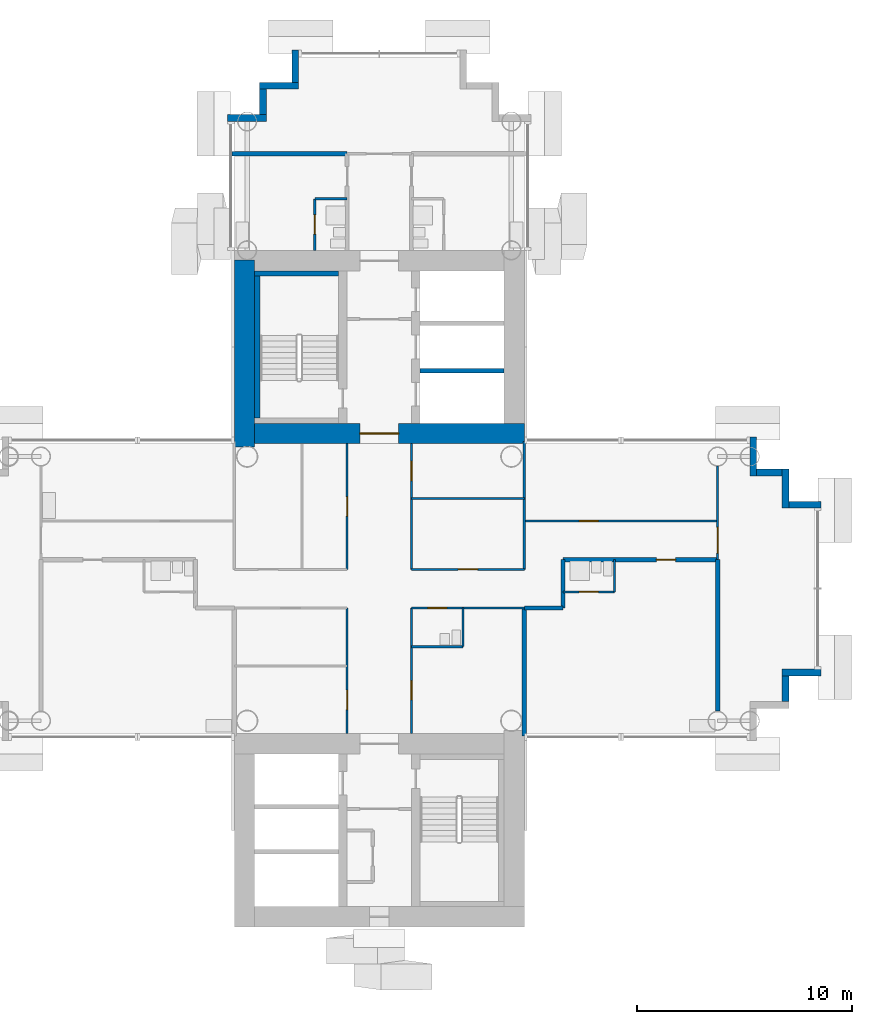
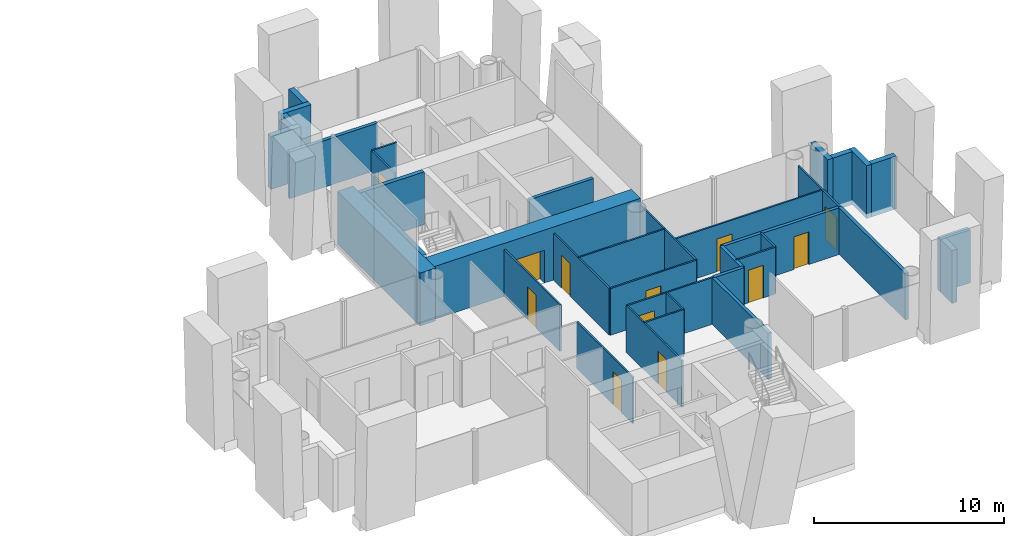
# One storey, part 12 of 20: 37 walls, 12 doors, 12 openings.
"""IFC4 building model written with IfcOpenShell, lengths in metres."""

from ifc_helpers import new_model, si_unit, direction, frame, frame_2d, origin, place, context, subcontext, project, spatial, rectangle, extrude, material, layer, layer_set, type_object, element, fill, save


model = new_model("IFC4")

# Units and contexts
model_context = context("Model", 3, precision=1e-05, world=origin(), true_north=direction((0.0, 1.0)))
body_context = subcontext(model_context, "Body", "Model", "MODEL_VIEW")
ifc_project = project(units=[si_unit("LENGTHUNIT", "METRE"), si_unit("AREAUNIT", "SQUARE_METRE"), si_unit("VOLUMEUNIT", "CUBIC_METRE"), si_unit("PLANEANGLEUNIT", "RADIAN"), si_unit("MASSUNIT", "GRAM", prefix="KILO")], contexts=[model_context])

# Site, building, storey
site_placement = place(None, origin())
site = spatial("IfcSite", under=ifc_project, at=site_placement, CompositionType="ELEMENT")
building_placement = place(site_placement, origin())
building = spatial("IfcBuilding", under=site, at=building_placement, Name="Ipe Terrace Towers", CompositionType="ELEMENT")
storey_placement = place(building_placement, frame((0.0, 0.0, 100.39990234375)))
storey = spatial("IfcBuildingStorey", under=building, at=storey_placement, Name="L27", CompositionType="ELEMENT", Elevation=100.39990234375)

# Walls
ifc_material_1 = material(Name="Concrete C40/50 with buff precast cladding", Category="concrete")
ifc_layer_1 = layer(ifc_material_1, 0.320068359375)
ifc_layer_set_1 = layer_set([ifc_layer_1], Name="BUFF CLADDING WALL 320")
wall_type_1 = type_object("IfcWallType", Name="BUFF CLADDING WALL 320", PredefinedType="STANDARD", material=ifc_layer_set_1)
wall_1_placement = place(storey_placement, frame((54.909912109375, -5.25, -0.2998046875), z_axis=(0.0, 0.0, 1.0), x_axis=(0.0, 1.0, 0.0)))
element("IfcWall", 1, at=wall_1_placement, inside=storey, type_object=wall_type_1, Name="T2-W-L27-06a wall", PredefinedType="STANDARD", context=body_context, shape_type="SweptSolid", body=[
    extrude(rectangle(XDim=1.179931640625, YDim=0.320068359375, at=frame_2d((0.58984375, 0.0))), origin(), (0.0, 0.0, 1.0), 3.39990234375),
])
wall_2_placement = place(storey_placement, frame((54.75, -3.909912109375, -0.2998046875), z_axis=(0.0, 0.0, 1.0), x_axis=(1.0, 0.0, 0.0)))
element("IfcWall", 2, at=wall_2_placement, inside=storey, type_object=wall_type_1, Name="T2-W-L27-07a wall", PredefinedType="STANDARD", context=body_context, shape_type="SweptSolid", body=[
    extrude(rectangle(XDim=1.820068359375, YDim=0.320068359375, at=frame_2d((0.91015625, 0.0))), origin(), (0.0, 0.0, 1.0), 3.39990234375),
])
wall_3_placement = place(storey_placement, frame((56.570068359375, 3.909912109375, -0.2998046875), z_axis=(0.0, 0.0, 1.0), x_axis=(-1.0, 0.0, 0.0)))
element("IfcWall", 3, at=wall_3_placement, inside=storey, type_object=wall_type_1, Name="T2-W-L27-09a wall", PredefinedType="STANDARD", context=body_context, shape_type="SweptSolid", body=[
    extrude(rectangle(XDim=1.5, YDim=0.320068359375, at=frame_2d((0.75, 0.0))), origin(), (0.0, 0.0, 1.0), 3.39990234375),
])
wall_4_placement = place(storey_placement, frame((54.909912109375, 3.75, -0.2998046875), z_axis=(0.0, 0.0, 1.0), x_axis=(0.0, 1.0, 0.0)))
element("IfcWall", 4, at=wall_4_placement, inside=storey, type_object=wall_type_1, Name="T2-W-L27-10a wall", PredefinedType="STANDARD", context=body_context, shape_type="SweptSolid", body=[
    extrude(rectangle(XDim=1.820068359375, YDim=0.320068359375, at=frame_2d((0.91015625, 0.0))), origin(), (0.0, 0.0, 1.0), 3.39990234375),
])
wall_5_placement = place(storey_placement, frame((54.75, 5.409912109375, -0.2998046875), z_axis=(0.0, 0.0, 1.0), x_axis=(-1.0, 0.0, 0.0)))
element("IfcWall", 5, at=wall_5_placement, inside=storey, type_object=wall_type_1, Name="T2-W-L27-11a wall", PredefinedType="STANDARD", context=body_context, shape_type="SweptSolid", body=[
    extrude(rectangle(XDim=1.179931640625, YDim=0.320068359375, at=frame_2d((0.58984375, 0.0))), origin(), (0.0, 0.0, 1.0), 3.39990234375),
])
wall_6_placement = place(storey_placement, frame((53.409912109375, 5.25, -0.2998046875), z_axis=(0.0, 0.0, 1.0), x_axis=(0.0, 1.0, 0.0)))
element("IfcWall", 6, at=wall_6_placement, inside=storey, type_object=wall_type_1, Name="T2-W-L27-12a wall", PredefinedType="STANDARD", context=body_context, shape_type="SweptSolid", body=[
    extrude(rectangle(XDim=1.820068359375, YDim=0.320068359375, at=frame_2d((0.91015625, 0.0))), origin(), (0.0, 0.0, 1.0), 3.39990234375),
])
wall_7_placement = place(storey_placement, frame((32.090087890625, 25.070068359375, -0.2998046875), z_axis=(0.0, 0.0, 1.0), x_axis=(0.0, -1.0, 0.0)))
element("IfcWall", 7, at=wall_7_placement, inside=storey, type_object=wall_type_1, Name="T2-W-L27-22a wall", PredefinedType="STANDARD", context=body_context, shape_type="SweptSolid", body=[
    extrude(rectangle(XDim=1.5, YDim=0.320068359375, at=frame_2d((0.75, 0.0))), origin(), (0.0, 0.0, 1.0), 3.39990234375),
])
wall_8_placement = place(storey_placement, frame((32.25, 23.409912109375, -0.2998046875), z_axis=(0.0, 0.0, 1.0), x_axis=(-1.0, 0.0, 0.0)))
element("IfcWall", 8, at=wall_8_placement, inside=storey, type_object=wall_type_1, Name="T2-W-L27-23a wall", PredefinedType="STANDARD", context=body_context, shape_type="SweptSolid", body=[
    extrude(rectangle(XDim=1.820068359375, YDim=0.320068359375, at=frame_2d((0.91015625, 0.0))), origin(), (0.0, 0.0, 1.0), 3.39990234375),
])
wall_9_placement = place(storey_placement, frame((30.590087890625, 23.25, -0.2998046875), z_axis=(0.0, 0.0, 1.0), x_axis=(0.0, -1.0, 0.0)))
element("IfcWall", 9, at=wall_9_placement, inside=storey, type_object=wall_type_1, Name="T2-W-L27-24a wall", PredefinedType="STANDARD", context=body_context, shape_type="SweptSolid", body=[
    extrude(rectangle(XDim=1.179931640625, YDim=0.320068359375, at=frame_2d((0.58984375, 0.0))), origin(), (0.0, 0.0, 1.0), 3.39990234375),
])
wall_10_placement = place(storey_placement, frame((30.75, 21.909912109375, -0.2998046875), z_axis=(0.0, 0.0, 1.0), x_axis=(-1.0, 0.0, 0.0)))
element("IfcWall", 10, at=wall_10_placement, inside=storey, type_object=wall_type_1, Name="T2-W-L27-25a wall", PredefinedType="STANDARD", context=body_context, shape_type="SweptSolid", body=[
    extrude(rectangle(XDim=1.820068359375, YDim=0.320068359375, at=frame_2d((0.91015625, 0.0))), origin(), (0.0, 0.0, 1.0), 3.39990234375),
])
ifc_material_2 = material(Name="Gypsum board partition", Category="plasterboard")
ifc_layer_2 = layer(ifc_material_2, 0.10009765625)
ifc_layer_set_2 = layer_set([ifc_layer_2], Name="Gypsum board partition 100 mm")
wall_type_2 = type_object("IfcWallType", Name="Gypsum board partition 100 mm", PredefinedType="PARTITIONING", material=ifc_layer_set_2)
wall_11_placement = place(storey_placement, frame((39.89990234375, -2.699951171875, 0.0), z_axis=(0.0, 0.0, 1.0), x_axis=(-1.0, 0.0, 0.0)))
element("IfcWall", 11, at=wall_11_placement, inside=storey, type_object=wall_type_2, Name="Gypsum board partition T2 L27 W02", PredefinedType="PARTITIONING", context=body_context, shape_type="SweptSolid", body=[
    extrude(rectangle(XDim=2.39990234375, YDim=0.10009765625, at=frame_2d((1.199951171875, 0.0))), origin(), (0.0, 0.0, 1.0), 3.0),
])

# Wall, opening, door
wall_12_placement = place(storey_placement, frame((42.75, -0.89990234375, 0.0), z_axis=(0.0, 0.0, 1.0), x_axis=(-1.0, 0.0, 0.0)))
wall_12 = element("IfcWall", 12, at=wall_12_placement, inside=storey, type_object=wall_type_2, Name="Gypsum board partition T2 L27 W03", PredefinedType="PARTITIONING", context=body_context, shape_type="SweptSolid", body=[
    extrude(rectangle(XDim=5.25, YDim=0.10009765625, at=frame_2d((2.625, 0.0))), origin(), (0.0, 0.0, 1.0), 3.0),
])
opening_1_placement = place(wall_12_placement, frame((3.60009765625, 0.0, 0.0)))
opening_1 = element("IfcOpeningElement", 13, at=opening_1_placement, cuts=wall_12, Name="Opening T2-Z2E-01", PredefinedType="OPENING", context=body_context, shape_type="SweptSolid", body=[
    extrude(rectangle(XDim=0.89990234375, YDim=2.10009765625, at=frame_2d((0.449951171875, 1.050048828125))), frame((0.0, 0.06005859375, 0.0), z_axis=(0.0, -1.0, 0.0), x_axis=(1.0, 0.0, 0.0)), (0.0, 0.0, 1.0), 0.1201171875),
])
ifc_material_3 = material(Name="Timber door leaf", Category="wood")
door_type_1 = type_object("IfcDoorType", Name="Bathroom door 900 x 2100", OperationType="NOTDEFINED", PredefinedType="DOOR", material=ifc_material_3)
door_1_placement = place(opening_1_placement, origin())
door_1 = element("IfcDoor", 14, at=door_1_placement, inside=storey, type_object=door_type_1, Name="Bathroom door T2-Z2E-01", OperationType="SINGLE_SWING_LEFT", OverallHeight=2.10009765625, OverallWidth=0.89990234375, PredefinedType="DOOR", context=body_context, shape_type="SweptSolid", body=[
    extrude(rectangle(XDim=0.89990234375, YDim=2.10009765625, at=frame_2d((0.449951171875, 1.050048828125))), frame((0.0, 0.02490234375, 0.0), z_axis=(0.0, -1.0, 0.0), x_axis=(1.0, 0.0, 0.0)), (0.0, 0.0, 1.0), 0.050048828125),
])
fill(opening_1, door_1)

wall_13_placement = place(storey_placement, frame((46.949951171875, -0.14990234375, 0.0), z_axis=(0.0, 0.0, 1.0), x_axis=(-1.0, 0.0, 0.0)))
wall_13 = element("IfcWall", 15, at=wall_13_placement, inside=storey, type_object=wall_type_2, Name="Gypsum board partition T2 L27 W07", PredefinedType="PARTITIONING", context=body_context, shape_type="SweptSolid", body=[
    extrude(rectangle(XDim=2.39990234375, YDim=0.10009765625, at=frame_2d((1.199951171875, 0.0))), origin(), (0.0, 0.0, 1.0), 3.0),
])
opening_2_placement = place(wall_13_placement, frame((0.75, 0.0, 0.0)))
opening_2 = element("IfcOpeningElement", 16, at=opening_2_placement, cuts=wall_13, Name="Opening T2-Z2E-15", PredefinedType="OPENING", context=body_context, shape_type="SweptSolid", body=[
    extrude(rectangle(XDim=0.89990234375, YDim=2.10009765625, at=frame_2d((0.449951171875, 1.050048828125))), frame((0.0, 0.06005859375, 0.0), z_axis=(0.0, -1.0, 0.0), x_axis=(1.0, 0.0, 0.0)), (0.0, 0.0, 1.0), 0.1201171875),
])
door_2_placement = place(opening_2_placement, origin())
door_2 = element("IfcDoor", 17, at=door_2_placement, inside=storey, type_object=door_type_1, Name="Bathroom door T2-Z2E-15", OperationType="SINGLE_SWING_RIGHT", OverallHeight=2.10009765625, OverallWidth=0.89990234375, PredefinedType="DOOR", context=body_context, shape_type="SweptSolid", body=[
    extrude(rectangle(XDim=0.89990234375, YDim=2.10009765625, at=frame_2d((0.449951171875, 1.050048828125))), frame((0.0, 0.02490234375, 0.0), z_axis=(0.0, -1.0, 0.0), x_axis=(1.0, 0.0, 0.0)), (0.0, 0.0, 1.0), 0.050048828125),
])
fill(opening_2, door_2)

wall_14_placement = place(storey_placement, frame((42.75, 0.89990234375, 0.0), z_axis=(0.0, 0.0, 1.0), x_axis=(-1.0, 0.0, 0.0)))
wall_14 = element("IfcWall", 18, at=wall_14_placement, inside=storey, type_object=wall_type_2, Name="Gypsum board partition T2 L27 W09", PredefinedType="PARTITIONING", context=body_context, shape_type="SweptSolid", body=[
    extrude(rectangle(XDim=5.25, YDim=0.10009765625, at=frame_2d((2.625, 0.0))), origin(), (0.0, 0.0, 1.0), 3.0),
])
opening_3_placement = place(wall_14_placement, frame((2.175048828125, 0.0, 0.0)))
opening_3 = element("IfcOpeningElement", 19, at=opening_3_placement, cuts=wall_14, Name="Opening T2-Z2E-07", PredefinedType="OPENING", context=body_context, shape_type="SweptSolid", body=[
    extrude(rectangle(XDim=0.89990234375, YDim=2.10009765625, at=frame_2d((0.449951171875, 1.050048828125))), frame((0.0, 0.06005859375, 0.0), z_axis=(0.0, -1.0, 0.0), x_axis=(1.0, 0.0, 0.0)), (0.0, 0.0, 1.0), 0.1201171875),
])
ifc_material_4 = material(Name="Timber door leaf", Category="wood")
door_type_2 = type_object("IfcDoorType", Name="Lounge door 900 x 2100", OperationType="NOTDEFINED", PredefinedType="DOOR", material=ifc_material_4)
door_3_placement = place(opening_3_placement, origin())
door_3 = element("IfcDoor", 20, at=door_3_placement, inside=storey, type_object=door_type_2, Name="Lounge door T2-Z2E-07", OperationType="SINGLE_SWING_RIGHT", OverallHeight=2.10009765625, OverallWidth=0.89990234375, PredefinedType="DOOR", context=body_context, shape_type="SweptSolid", body=[
    extrude(rectangle(XDim=0.89990234375, YDim=2.10009765625, at=frame_2d((0.449951171875, 1.050048828125))), frame((0.0, 0.02490234375, 0.0), z_axis=(0.0, -1.0, 0.0), x_axis=(1.0, 0.0, 0.0)), (0.0, 0.0, 1.0), 0.050048828125),
])
fill(opening_3, door_3)

wall_15_placement = place(storey_placement, frame((51.75, 3.14990234375, 0.0), z_axis=(0.0, 0.0, 1.0), x_axis=(-1.0, 0.0, 0.0)))
wall_15 = element("IfcWall", 21, at=wall_15_placement, inside=storey, type_object=wall_type_2, Name="Gypsum board partition T2 L27 W13", PredefinedType="PARTITIONING", context=body_context, shape_type="SweptSolid", body=[
    extrude(rectangle(XDim=9.0, YDim=0.10009765625, at=frame_2d((4.5, 0.0))), origin(), (0.0, 0.0, 1.0), 3.0),
])
opening_4_placement = place(wall_15_placement, frame((5.550048828125, 0.0, 0.0)))
opening_4 = element("IfcOpeningElement", 22, at=opening_4_placement, cuts=wall_15, Name="Opening T2-Z2E-13", PredefinedType="OPENING", context=body_context, shape_type="SweptSolid", body=[
    extrude(rectangle(XDim=0.89990234375, YDim=2.10009765625, at=frame_2d((0.449951171875, 1.050048828125))), frame((0.0, 0.06005859375, 0.0), z_axis=(0.0, -1.0, 0.0), x_axis=(1.0, 0.0, 0.0)), (0.0, 0.0, 1.0), 0.1201171875),
])
door_4_placement = place(opening_4_placement, origin())
door_4 = element("IfcDoor", 23, at=door_4_placement, inside=storey, type_object=door_type_2, Name="Lounge door T2-Z2E-13", OperationType="SINGLE_SWING_RIGHT", OverallHeight=2.10009765625, OverallWidth=0.89990234375, PredefinedType="DOOR", context=body_context, shape_type="SweptSolid", body=[
    extrude(rectangle(XDim=0.89990234375, YDim=2.10009765625, at=frame_2d((0.449951171875, 1.050048828125))), frame((0.0, 0.02490234375, 0.0), z_axis=(0.0, -1.0, 0.0), x_axis=(1.0, 0.0, 0.0)), (0.0, 0.0, 1.0), 0.050048828125),
])
fill(opening_4, door_4)

# Walls
wall_16_placement = place(storey_placement, frame((42.75, 4.199951171875, 0.0), z_axis=(0.0, 0.0, 1.0), x_axis=(-1.0, 0.0, 0.0)))
element("IfcWall", 24, at=wall_16_placement, inside=storey, type_object=wall_type_2, Name="Gypsum board partition T2 L27 W15", PredefinedType="PARTITIONING", context=body_context, shape_type="SweptSolid", body=[
    extrude(rectangle(XDim=5.25, YDim=0.10009765625, at=frame_2d((2.625, 0.0))), origin(), (0.0, 0.0, 1.0), 3.0),
])
wall_17_placement = place(storey_placement, frame((34.5, 18.14990234375, 0.0), z_axis=(0.0, 0.0, 1.0), x_axis=(-1.0, 0.0, 0.0)))
element("IfcWall", 25, at=wall_17_placement, inside=storey, type_object=wall_type_2, Name="Gypsum board partition T2 L27 W17", PredefinedType="PARTITIONING", context=body_context, shape_type="SweptSolid", body=[
    extrude(rectangle(XDim=1.5, YDim=0.10009765625, at=frame_2d((0.75, 0.0))), origin(), (0.0, 0.0, 1.0), 3.0),
])

# Wall, opening, door
wall_18_placement = place(storey_placement, frame((51.75, 1.35009765625, 0.0), z_axis=(0.0, 0.0, 1.0), x_axis=(0.0, 1.0, 0.0)))
wall_18 = element("IfcWall", 26, at=wall_18_placement, inside=storey, type_object=wall_type_2, Name="Gypsum board partition T2 L27 W21", PredefinedType="PARTITIONING", context=body_context, shape_type="SweptSolid", body=[
    extrude(rectangle(XDim=4.349853515625, YDim=0.10009765625, at=frame_2d((2.1748046875, 0.0))), origin(), (0.0, 0.0, 1.0), 3.0),
])
opening_5_placement = place(wall_18_placement, frame((0.300048828125, 0.0, 0.0)))
opening_5 = element("IfcOpeningElement", 27, at=opening_5_placement, cuts=wall_18, Name="Opening T2-Z2E-16", PredefinedType="OPENING", context=body_context, shape_type="SweptSolid", body=[
    extrude(rectangle(XDim=1.199951171875, YDim=2.10009765625, at=frame_2d((0.60009765625, 1.050048828125))), frame((0.0, 0.06005859375, 0.0), z_axis=(0.0, -1.0, 0.0), x_axis=(1.0, 0.0, 0.0)), (0.0, 0.0, 1.0), 0.1201171875),
])
ifc_material_5 = material(Name="Timber door leaf", Category="wood")
door_type_3 = type_object("IfcDoorType", Name="Lounge door 1200 x 2100", OperationType="NOTDEFINED", PredefinedType="DOOR", material=ifc_material_5)
door_5_placement = place(opening_5_placement, origin())
door_5 = element("IfcDoor", 28, at=door_5_placement, inside=storey, type_object=door_type_3, Name="Lounge door T2-Z2E-16", OperationType="SINGLE_SWING_LEFT", OverallHeight=2.10009765625, OverallWidth=1.199951171875, PredefinedType="DOOR", context=body_context, shape_type="SweptSolid", body=[
    extrude(rectangle(XDim=1.199951171875, YDim=2.10009765625, at=frame_2d((0.60009765625, 1.050048828125))), frame((0.0, 0.02490234375, 0.0), z_axis=(0.0, -1.0, 0.0), x_axis=(1.0, 0.0, 0.0)), (0.0, 0.0, 1.0), 0.050048828125),
])
fill(opening_5, door_5)

# Walls
wall_19_placement = place(storey_placement, frame((46.949951171875, -0.14990234375, 0.0), z_axis=(0.0, 0.0, 1.0), x_axis=(0.0, 1.0, 0.0)))
element("IfcWall", 29, at=wall_19_placement, inside=storey, type_object=wall_type_2, Name="Gypsum board partition T2 L27 W23", PredefinedType="PARTITIONING", context=body_context, shape_type="SweptSolid", body=[
    extrude(rectangle(XDim=1.5, YDim=0.10009765625, at=frame_2d((0.75, 0.0))), origin(), (0.0, 0.0, 1.0), 3.0),
])
wall_20_placement = place(storey_placement, frame((42.75, 0.89990234375, 0.0), z_axis=(0.0, 0.0, 1.0), x_axis=(0.0, 1.0, 0.0)))
element("IfcWall", 30, at=wall_20_placement, inside=storey, type_object=wall_type_2, Name="Gypsum board partition T2 L27 W25", PredefinedType="PARTITIONING", context=body_context, shape_type="SweptSolid", body=[
    extrude(rectangle(XDim=5.9501953125, YDim=0.10009765625, at=frame_2d((2.97509765625, 0.0))), origin(), (0.0, 0.0, 1.0), 3.0),
])
wall_21_placement = place(storey_placement, frame((39.89990234375, -2.699951171875, 0.0), z_axis=(0.0, 0.0, 1.0), x_axis=(0.0, 1.0, 0.0)))
element("IfcWall", 31, at=wall_21_placement, inside=storey, type_object=wall_type_2, Name="Gypsum board partition T2 L27 W27", PredefinedType="PARTITIONING", context=body_context, shape_type="SweptSolid", body=[
    extrude(rectangle(XDim=1.800048828125, YDim=0.10009765625, at=frame_2d((0.89990234375, 0.0))), origin(), (0.0, 0.0, 1.0), 3.0),
])

# Wall, opening, door
wall_22_placement = place(storey_placement, frame((37.5, -6.75, 0.0), z_axis=(0.0, 0.0, 1.0), x_axis=(0.0, 1.0, 0.0)))
wall_22 = element("IfcWall", 32, at=wall_22_placement, inside=storey, type_object=wall_type_2, Name="Gypsum board partition T2 L27 W29", PredefinedType="PARTITIONING", context=body_context, shape_type="SweptSolid", body=[
    extrude(rectangle(XDim=5.85009765625, YDim=0.10009765625, at=frame_2d((2.925048828125, 0.0))), origin(), (0.0, 0.0, 1.0), 3.0),
])
opening_6_placement = place(wall_22_placement, frame((1.574951171875, 0.0, 0.0)))
opening_6 = element("IfcOpeningElement", 33, at=opening_6_placement, cuts=wall_22, Name="Opening T2-Z2E-06", PredefinedType="OPENING", context=body_context, shape_type="SweptSolid", body=[
    extrude(rectangle(XDim=0.89990234375, YDim=2.10009765625, at=frame_2d((0.449951171875, 1.050048828125))), frame((0.0, 0.06005859375, 0.0), z_axis=(0.0, -1.0, 0.0), x_axis=(1.0, 0.0, 0.0)), (0.0, 0.0, 1.0), 0.1201171875),
])
door_6_placement = place(opening_6_placement, origin())
door_6 = element("IfcDoor", 34, at=door_6_placement, inside=storey, type_object=door_type_2, Name="Lounge door T2-Z2E-06", OperationType="SINGLE_SWING_LEFT", OverallHeight=2.10009765625, OverallWidth=0.89990234375, PredefinedType="DOOR", context=body_context, shape_type="SweptSolid", body=[
    extrude(rectangle(XDim=0.89990234375, YDim=2.10009765625, at=frame_2d((0.449951171875, 1.050048828125))), frame((0.0, 0.02490234375, 0.0), z_axis=(0.0, -1.0, 0.0), x_axis=(1.0, 0.0, 0.0)), (0.0, 0.0, 1.0), 0.050048828125),
])
fill(opening_6, door_6)

wall_23_placement = place(storey_placement, frame((37.5, 0.89990234375, 0.0), z_axis=(0.0, 0.0, 1.0), x_axis=(0.0, 1.0, 0.0)))
wall_23 = element("IfcWall", 35, at=wall_23_placement, inside=storey, type_object=wall_type_2, Name="Gypsum board partition T2 L27 W30", PredefinedType="PARTITIONING", context=body_context, shape_type="SweptSolid", body=[
    extrude(rectangle(XDim=5.85009765625, YDim=0.10009765625, at=frame_2d((2.925048828125, 0.0))), origin(), (0.0, 0.0, 1.0), 3.0),
])
opening_7_placement = place(wall_23_placement, frame((4.125, 0.0, 0.0)))
opening_7 = element("IfcOpeningElement", 36, at=opening_7_placement, cuts=wall_23, Name="Opening T2-Z2E-08", PredefinedType="OPENING", context=body_context, shape_type="SweptSolid", body=[
    extrude(rectangle(XDim=0.89990234375, YDim=2.10009765625, at=frame_2d((0.449951171875, 1.050048828125))), frame((0.0, 0.06005859375, 0.0), z_axis=(0.0, -1.0, 0.0), x_axis=(1.0, 0.0, 0.0)), (0.0, 0.0, 1.0), 0.1201171875),
])
door_7_placement = place(opening_7_placement, origin())
door_7 = element("IfcDoor", 37, at=door_7_placement, inside=storey, type_object=door_type_2, Name="Lounge door T2-Z2E-08", OperationType="SINGLE_SWING_RIGHT", OverallHeight=2.10009765625, OverallWidth=0.89990234375, PredefinedType="DOOR", context=body_context, shape_type="SweptSolid", body=[
    extrude(rectangle(XDim=0.89990234375, YDim=2.10009765625, at=frame_2d((0.449951171875, 1.050048828125))), frame((0.0, 0.02490234375, 0.0), z_axis=(0.0, -1.0, 0.0), x_axis=(1.0, 0.0, 0.0)), (0.0, 0.0, 1.0), 0.050048828125),
])
fill(opening_7, door_7)

wall_24_placement = place(storey_placement, frame((34.5, -6.75, 0.0), z_axis=(0.0, 0.0, 1.0), x_axis=(0.0, 1.0, 0.0)))
wall_24 = element("IfcWall", 38, at=wall_24_placement, inside=storey, type_object=wall_type_2, Name="Gypsum board partition T2 L27 W32", PredefinedType="PARTITIONING", context=body_context, shape_type="SweptSolid", body=[
    extrude(rectangle(XDim=5.85009765625, YDim=0.10009765625, at=frame_2d((2.925048828125, 0.0))), origin(), (0.0, 0.0, 1.0), 3.0),
])
opening_8_placement = place(wall_24_placement, frame((1.125, 0.0, 0.0)))
opening_8 = element("IfcOpeningElement", 39, at=opening_8_placement, cuts=wall_24, Name="Opening T2-Z2E-05", PredefinedType="OPENING", context=body_context, shape_type="SweptSolid", body=[
    extrude(rectangle(XDim=0.89990234375, YDim=2.10009765625, at=frame_2d((0.449951171875, 1.050048828125))), frame((0.0, 0.06005859375, 0.0), z_axis=(0.0, -1.0, 0.0), x_axis=(1.0, 0.0, 0.0)), (0.0, 0.0, 1.0), 0.1201171875),
])
door_8_placement = place(opening_8_placement, origin())
door_8 = element("IfcDoor", 40, at=door_8_placement, inside=storey, type_object=door_type_2, Name="Lounge door T2-Z2E-05", OperationType="SINGLE_SWING_RIGHT", OverallHeight=2.10009765625, OverallWidth=0.89990234375, PredefinedType="DOOR", context=body_context, shape_type="SweptSolid", body=[
    extrude(rectangle(XDim=0.89990234375, YDim=2.10009765625, at=frame_2d((0.449951171875, 1.050048828125))), frame((0.0, 0.02490234375, 0.0), z_axis=(0.0, -1.0, 0.0), x_axis=(1.0, 0.0, 0.0)), (0.0, 0.0, 1.0), 0.050048828125),
])
fill(opening_8, door_8)

wall_25_placement = place(storey_placement, frame((34.5, 0.89990234375, 0.0), z_axis=(0.0, 0.0, 1.0), x_axis=(0.0, 1.0, 0.0)))
wall_25 = element("IfcWall", 41, at=wall_25_placement, inside=storey, type_object=wall_type_2, Name="Gypsum board partition T2 L27 W33", PredefinedType="PARTITIONING", context=body_context, shape_type="SweptSolid", body=[
    extrude(rectangle(XDim=5.85009765625, YDim=0.10009765625, at=frame_2d((2.925048828125, 0.0))), origin(), (0.0, 0.0, 1.0), 3.0),
])
opening_9_placement = place(wall_25_placement, frame((2.47509765625, 0.0, 0.0)))
opening_9 = element("IfcOpeningElement", 42, at=opening_9_placement, cuts=wall_25, Name="Opening T2-Z2E-02", PredefinedType="OPENING", context=body_context, shape_type="SweptSolid", body=[
    extrude(rectangle(XDim=0.89990234375, YDim=2.10009765625, at=frame_2d((0.449951171875, 1.050048828125))), frame((0.0, 0.06005859375, 0.0), z_axis=(0.0, -1.0, 0.0), x_axis=(1.0, 0.0, 0.0)), (0.0, 0.0, 1.0), 0.1201171875),
])
door_9_placement = place(opening_9_placement, origin())
door_9 = element("IfcDoor", 43, at=door_9_placement, inside=storey, type_object=door_type_2, Name="Lounge door T2-Z2E-02", OperationType="SINGLE_SWING_LEFT", OverallHeight=2.10009765625, OverallWidth=0.89990234375, PredefinedType="DOOR", context=body_context, shape_type="SweptSolid", body=[
    extrude(rectangle(XDim=0.89990234375, YDim=2.10009765625, at=frame_2d((0.449951171875, 1.050048828125))), frame((0.0, 0.02490234375, 0.0), z_axis=(0.0, -1.0, 0.0), x_axis=(1.0, 0.0, 0.0)), (0.0, 0.0, 1.0), 0.050048828125),
])
fill(opening_9, door_9)

wall_26_placement = place(storey_placement, frame((33.0, 15.75, 0.0), z_axis=(0.0, 0.0, 1.0), x_axis=(0.0, 1.0, 0.0)))
wall_26 = element("IfcWall", 44, at=wall_26_placement, inside=storey, type_object=wall_type_2, Name="Gypsum board partition T2 L27 W35", PredefinedType="PARTITIONING", context=body_context, shape_type="SweptSolid", body=[
    extrude(rectangle(XDim=2.39990234375, YDim=0.10009765625, at=frame_2d((1.199951171875, 0.0))), origin(), (0.0, 0.0, 1.0), 3.0),
])
opening_10_placement = place(wall_26_placement, frame((0.75, 0.0, 0.0)))
opening_10 = element("IfcOpeningElement", 45, at=opening_10_placement, cuts=wall_26, Name="Opening T2-Z2E-18", PredefinedType="OPENING", context=body_context, shape_type="SweptSolid", body=[
    extrude(rectangle(XDim=0.89990234375, YDim=2.10009765625, at=frame_2d((0.449951171875, 1.050048828125))), frame((0.0, 0.06005859375, 0.0), z_axis=(0.0, -1.0, 0.0), x_axis=(1.0, 0.0, 0.0)), (0.0, 0.0, 1.0), 0.1201171875),
])
door_10_placement = place(opening_10_placement, origin())
door_10 = element("IfcDoor", 46, at=door_10_placement, inside=storey, type_object=door_type_1, Name="Bathroom door T2-Z2E-18", OperationType="SINGLE_SWING_RIGHT", OverallHeight=2.10009765625, OverallWidth=0.89990234375, PredefinedType="DOOR", context=body_context, shape_type="SweptSolid", body=[
    extrude(rectangle(XDim=0.89990234375, YDim=2.10009765625, at=frame_2d((0.449951171875, 1.050048828125))), frame((0.0, 0.02490234375, 0.0), z_axis=(0.0, -1.0, 0.0), x_axis=(1.0, 0.0, 0.0)), (0.0, 0.0, 1.0), 0.050048828125),
])
fill(opening_10, door_10)

# Walls
ifc_material_6 = material(Name="Gypsum board party wall", Category="plasterboard")
ifc_layer_3 = layer(ifc_material_6, 0.199951171875)
ifc_layer_set_3 = layer_set([ifc_layer_3], Name="Gypsum board party wall 200 mm")
wall_type_3 = type_object("IfcWallType", Name="Gypsum board party wall 200 mm", PredefinedType="SOLIDWALL", material=ifc_layer_set_3)
wall_27_placement = place(storey_placement, frame((41.800048828125, 10.14990234375, 0.0), z_axis=(0.0, 0.0, 1.0), x_axis=(-1.0, 0.0, 0.0)))
element("IfcWall", 47, at=wall_27_placement, inside=storey, type_object=wall_type_3, Name="Gypsum board party wall T2 L27 t2c1-shaft-div1", PredefinedType="SOLIDWALL", context=body_context, shape_type="SweptSolid", body=[
    extrude(rectangle(XDim=3.900146484375, YDim=0.199951171875, at=frame_2d((1.9501953125, 0.0))), origin(), (0.0, 0.0, 1.0), 3.0),
])
wall_28_placement = place(storey_placement, frame((44.550048828125, -0.89990234375, 0.0), z_axis=(0.0, 0.0, 1.0), x_axis=(-1.0, 0.0, 0.0)))
element("IfcWall", 48, at=wall_28_placement, inside=storey, type_object=wall_type_3, Name="Gypsum board party wall T2 L27 W05", PredefinedType="SOLIDWALL", context=body_context, shape_type="SweptSolid", body=[
    extrude(rectangle(XDim=1.800048828125, YDim=0.199951171875, at=frame_2d((0.89990234375, 0.0))), origin(), (0.0, 0.0, 1.0), 3.0),
])

# Wall, opening, door
wall_29_placement = place(storey_placement, frame((51.75, 1.35009765625, 0.0), z_axis=(0.0, 0.0, 1.0), x_axis=(-1.0, 0.0, 0.0)))
wall_29 = element("IfcWall", 49, at=wall_29_placement, inside=storey, type_object=wall_type_3, Name="Gypsum board party wall T2 L27 W11", PredefinedType="SOLIDWALL", context=body_context, shape_type="SweptSolid", body=[
    extrude(rectangle(XDim=7.199951171875, YDim=0.199951171875, at=frame_2d((3.60009765625, 0.0))), origin(), (0.0, 0.0, 1.0), 3.0),
])
opening_11_placement = place(wall_29_placement, frame((1.949951171875, 0.0, 0.0)))
opening_11 = element("IfcOpeningElement", 50, at=opening_11_placement, cuts=wall_29, Name="Opening T2-Z2E-14", PredefinedType="OPENING", context=body_context, shape_type="SweptSolid", body=[
    extrude(rectangle(XDim=0.89990234375, YDim=2.10009765625, at=frame_2d((0.449951171875, 1.050048828125))), frame((0.0, 0.10986328125, 0.0), z_axis=(0.0, -1.0, 0.0), x_axis=(1.0, 0.0, 0.0)), (0.0, 0.0, 1.0), 0.219970703125),
])
ifc_material_7 = material(Name="Fire-rated timber door leaf", Category="wood")
door_type_4 = type_object("IfcDoorType", Name="Flat entrance door 900 x 2100 FD30S", OperationType="NOTDEFINED", PredefinedType="DOOR", material=ifc_material_7)
door_11_placement = place(opening_11_placement, origin())
door_11 = element("IfcDoor", 51, at=door_11_placement, inside=storey, type_object=door_type_4, Name="Flat entrance door T2-Z2E-14", OperationType="SINGLE_SWING_RIGHT", OverallHeight=2.10009765625, OverallWidth=0.89990234375, PredefinedType="DOOR", context=body_context, shape_type="SweptSolid", body=[
    extrude(rectangle(XDim=0.89990234375, YDim=2.10009765625, at=frame_2d((0.449951171875, 1.050048828125))), frame((0.0, 0.02490234375, 0.0), z_axis=(0.0, -1.0, 0.0), x_axis=(1.0, 0.0, 0.0)), (0.0, 0.0, 1.0), 0.050048828125),
])
fill(opening_11, door_11)

# Walls
wall_30_placement = place(storey_placement, frame((34.5, 20.25, 0.0), z_axis=(0.0, 0.0, 1.0), x_axis=(-1.0, 0.0, 0.0)))
element("IfcWall", 52, at=wall_30_placement, inside=storey, type_object=wall_type_3, Name="Gypsum board party wall T2 L27 W20", PredefinedType="SOLIDWALL", context=body_context, shape_type="SweptSolid", body=[
    extrude(rectangle(XDim=5.35009765625, YDim=0.199951171875, at=frame_2d((2.675048828125, 0.0))), origin(), (0.0, 0.0, 1.0), 3.0),
])
wall_31_placement = place(storey_placement, frame((51.75, -5.699951171875, 0.0), z_axis=(0.0, 0.0, 1.0), x_axis=(0.0, 1.0, 0.0)))
element("IfcWall", 53, at=wall_31_placement, inside=storey, type_object=wall_type_3, Name="Gypsum board party wall T2 L27 W22", PredefinedType="SOLIDWALL", context=body_context, shape_type="SweptSolid", body=[
    extrude(rectangle(XDim=7.050048828125, YDim=0.199951171875, at=frame_2d((3.52490234375, 0.0))), origin(), (0.0, 0.0, 1.0), 3.0),
])
wall_32_placement = place(storey_placement, frame((44.550048828125, -0.89990234375, 0.0), z_axis=(0.0, 0.0, 1.0), x_axis=(0.0, 1.0, 0.0)))
element("IfcWall", 54, at=wall_32_placement, inside=storey, type_object=wall_type_3, Name="Gypsum board party wall T2 L27 W24", PredefinedType="SOLIDWALL", context=body_context, shape_type="SweptSolid", body=[
    extrude(rectangle(XDim=2.25, YDim=0.199951171875, at=frame_2d((1.125, 0.0))), origin(), (0.0, 0.0, 1.0), 3.0),
])
wall_33_placement = place(storey_placement, frame((42.75, -6.85009765625, 0.0), z_axis=(0.0, 0.0, 1.0), x_axis=(0.0, 1.0, 0.0)))
element("IfcWall", 55, at=wall_33_placement, inside=storey, type_object=wall_type_3, Name="Gypsum board party wall T2 L27 W26", PredefinedType="SOLIDWALL", context=body_context, shape_type="SweptSolid", body=[
    extrude(rectangle(XDim=5.9501953125, YDim=0.199951171875, at=frame_2d((2.97509765625, 0.0))), origin(), (0.0, 0.0, 1.0), 3.0),
])
ifc_material_8 = material(Name="Concrete C50/60", Category="concrete")
ifc_layer_4 = layer(ifc_material_8, 0.25)
ifc_layer_set_4 = layer_set([ifc_layer_4], Name="RW250 CORE INFILL WALL 250 C50-60")
wall_type_4 = type_object("IfcWallType", Name="RW250 CORE INFILL WALL 250 C50-60", PredefinedType="SHEAR", material=ifc_layer_set_4)
wall_34_placement = place(storey_placement, frame((34.10009765625, 14.675048828125, 0.0), z_axis=(0.0, 0.0, 1.0), x_axis=(-1.0, 0.0, 0.0)))
element("IfcWall", 56, at=wall_34_placement, inside=storey, type_object=wall_type_4, Name="Core infill wall T2-C1-far", PredefinedType="SHEAR", context=body_context, shape_type="SweptSolid", body=[
    extrude(rectangle(XDim=3.900146484375, YDim=0.25, at=frame_2d((1.9501953125, 0.0))), origin(), (0.0, 0.0, 1.0), 3.400146484375),
])
wall_35_placement = place(storey_placement, frame((30.324951171875, 7.949951171875, 0.0), z_axis=(0.0, 0.0, 1.0), x_axis=(0.0, 1.0, 0.0)))
element("IfcWall", 57, at=wall_35_placement, inside=storey, type_object=wall_type_4, Name="Core infill wall T2-C1-back", PredefinedType="SHEAR", context=body_context, shape_type="SweptSolid", body=[
    extrude(rectangle(XDim=6.60009765625, YDim=0.25, at=frame_2d((3.300048828125, 0.0))), origin(), (0.0, 0.0, 1.0), 3.400146484375),
])

# Wall, opening, door
ifc_material_9 = material(Name="Concrete C50/60", Category="concrete")
ifc_layer_5 = layer(ifc_material_9, 0.949951171875)
ifc_layer_set_5 = layer_set([ifc_layer_5], Name="RW950 CORE WALL 950 C50-60")
wall_type_5 = type_object("IfcWallType", Name="RW950 CORE WALL 950 C50-60", PredefinedType="SHEAR", material=ifc_layer_set_5)
wall_36_placement = place(storey_placement, frame((30.199951171875, 7.22509765625, 0.0), z_axis=(0.0, 0.0, 1.0), x_axis=(1.0, 0.0, 0.0)))
wall_36 = element("IfcWall", 58, at=wall_36_placement, inside=storey, type_object=wall_type_5, Name="Core wall T2-C1-Z2-W01", PredefinedType="SHEAR", context=body_context, shape_type="SweptSolid", body=[
    extrude(rectangle(XDim=12.550048828125, YDim=0.949951171875, at=frame_2d((6.27490234375, 0.0))), origin(), (0.0, 0.0, 1.0), 3.400146484375),
])
opening_12_placement = place(wall_36_placement, frame((4.89990234375, 0.0, 0.0)))
opening_12 = element("IfcOpeningElement", 59, at=opening_12_placement, cuts=wall_36, Name="Opening T2C1-ND", PredefinedType="OPENING", context=body_context, shape_type="SweptSolid", body=[
    extrude(rectangle(XDim=1.800048828125, YDim=2.10009765625, at=frame_2d((0.89990234375, 1.050048828125))), frame((0.0, 0.48486328125, 0.0), z_axis=(0.0, -1.0, 0.0), x_axis=(1.0, 0.0, 0.0)), (0.0, 0.0, 1.0), 0.969970703125),
])
ifc_material_10 = material(Name="Fire-rated timber door leaf", Category="wood")
door_type_5 = type_object("IfcDoorType", Name="Fire door 1800 x 2100 FD30S", OperationType="NOTDEFINED", PredefinedType="DOOR", material=ifc_material_10)
door_12_placement = place(opening_12_placement, origin())
door_12 = element("IfcDoor", 60, at=door_12_placement, inside=storey, type_object=door_type_5, Name="Fire door T2C1-ND", OperationType="SINGLE_SWING_LEFT", OverallHeight=2.10009765625, OverallWidth=1.800048828125, PredefinedType="DOOR", context=body_context, shape_type="SweptSolid", body=[
    extrude(rectangle(XDim=1.800048828125, YDim=2.10009765625, at=frame_2d((0.89990234375, 1.050048828125))), frame((0.0, 0.02490234375, 0.0), z_axis=(0.0, -1.0, 0.0), x_axis=(1.0, 0.0, 0.0)), (0.0, 0.0, 1.0), 0.050048828125),
])
fill(opening_12, door_12)

# Wall
wall_37_placement = place(storey_placement, frame((29.72509765625, 15.298095703125, 0.0), z_axis=(0.0, 0.0, 1.0), x_axis=(0.0, -1.0, 0.0)))
element("IfcWall", 61, at=wall_37_placement, inside=storey, type_object=wall_type_5, Name="Core wall T2-C1-Z2-W04", PredefinedType="SHEAR", context=body_context, shape_type="SweptSolid", body=[
    extrude(rectangle(XDim=8.696044921875, YDim=0.949951171875, at=frame_2d((4.34814453125, 0.0))), origin(), (0.0, 0.0, 1.0), 3.400146484375),
])

save(model, "model.ifc")
